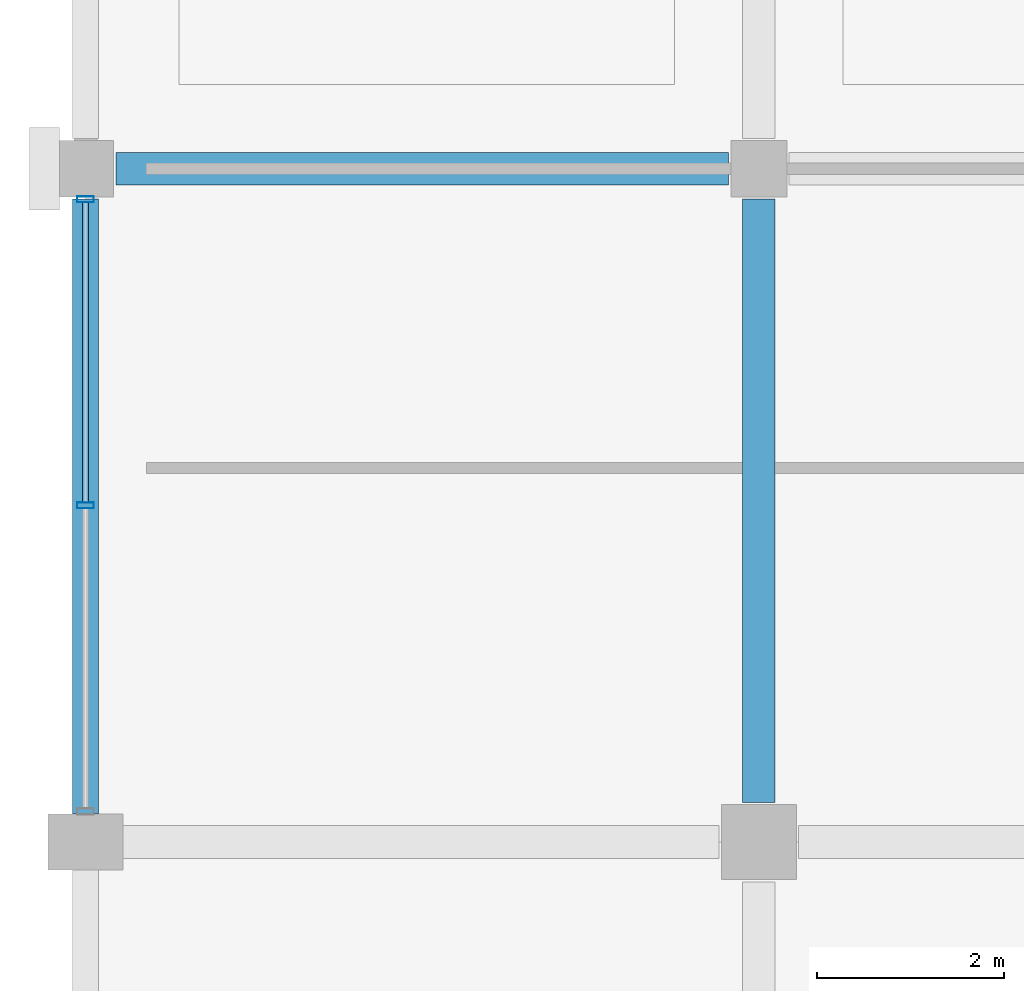
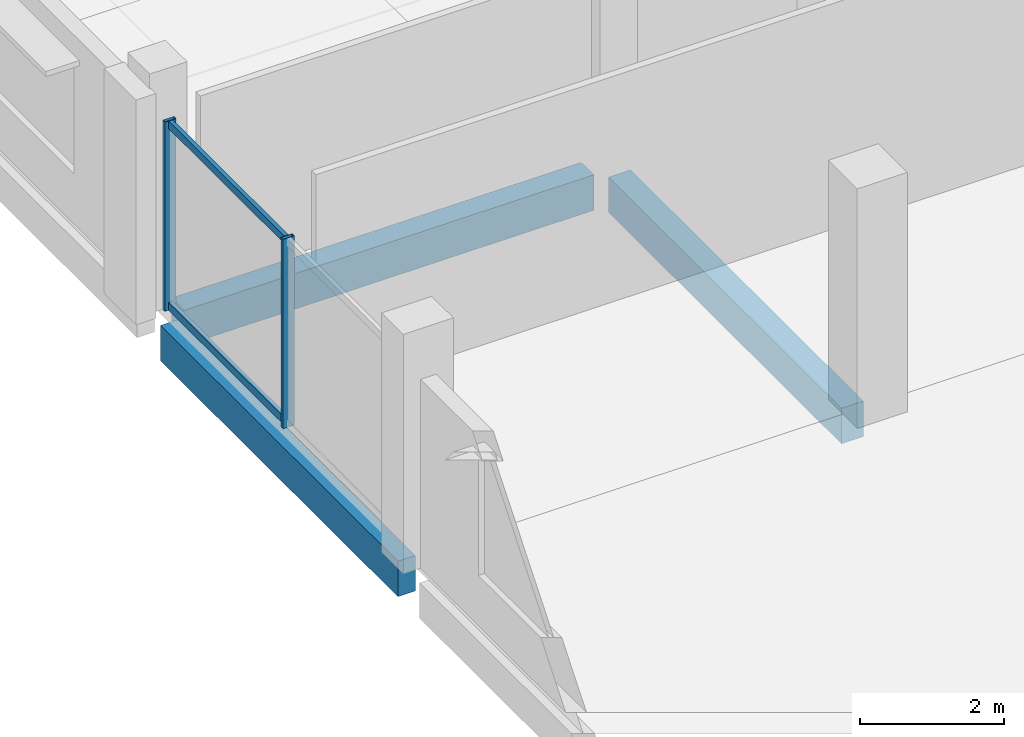
# One storey, part 19 of 108: 4 members, 3 beams, 1 element without a shape of its own.
"""IFC4 building model written with IfcOpenShell, lengths in metres."""

import ifcopenshell
import ifcopenshell.guid

model = None  # the IFC model being written
_history = None  # IfcOwnerHistory: only IFC2X3 demands one
_inside = {}  # id of a spatial element -> (the spatial element, [elements in it])
_under = {}  # id of a project, library or spatial element -> (it, [spatial elements below it])
_declared = {}  # id of a project -> (the project, [libraries it declares])
_typed = {}  # id of a type object -> (the type object, [elements of that type])
_made_of = {}  # id of a material, layer set ... -> (it, [elements and type objects made of it])


def new_model(schema):
    """Start an empty IFC model of exactly this schema.

    Asked for "IFC4X3", IfcOpenShell would pick the latest addendum, in which some entities
    have other attributes; the version numbers below select the first issue.
    IFC2X3 requires an IfcOwnerHistory on every rooted entity: one is made here for all.
    """
    global model, _history
    if schema == "IFC4X3":
        model = ifcopenshell.file(schema_version=(4, 3, 0, 0))
    else:
        model = ifcopenshell.file(schema=schema)
    _inside.clear()
    _under.clear()
    _declared.clear()
    _typed.clear()
    _made_of.clear()
    _history = None
    if model.schema == "IFC2X3":
        org = make("IfcOrganization", Name="unknown")
        user = make(
            "IfcPersonAndOrganization",
            ThePerson=make("IfcPerson", FamilyName="unknown"),
            TheOrganization=org,
        )
        app = make(
            "IfcApplication",
            ApplicationDeveloper=org,
            Version="unknown",
            ApplicationFullName="unknown",
            ApplicationIdentifier="unknown",
        )
        _history = make(
            "IfcOwnerHistory",
            OwningUser=user,
            OwningApplication=app,
            ChangeAction="ADDED",
            CreationDate=0,
        )
    return model


def make(cls, **values):
    """One entity of the class cls with the attributes given. An attribute that is None is left unset."""
    return model.create_entity(
        cls, **{name: value for name, value in values.items() if value is not None}
    )


def rooted(cls, **values):
    """An entity with a GlobalId (a new one), such as an element, a storey or a relation."""
    return make(cls, GlobalId=ifcopenshell.guid.new(), OwnerHistory=_history, **values)


def si_unit(unit_type, name, prefix=None):
    """IfcSIUnit, for example si_unit("LENGTHUNIT", "METRE", prefix="MILLI")."""
    return make("IfcSIUnit", UnitType=unit_type, Prefix=prefix, Name=name)


def assignment(units):
    """IfcUnitAssignment: the units of a project."""
    return None if units is None else make("IfcUnitAssignment", Units=units)


def point(xyz):
    """IfcCartesianPoint."""
    return None if xyz is None else make("IfcCartesianPoint", Coordinates=xyz)


def direction(xyz):
    """IfcDirection."""
    return None if xyz is None else make("IfcDirection", DirectionRatios=xyz)


def frame(location, z_axis=None, x_axis=None):
    """IfcAxis2Placement3D, a coordinate frame: its origin and axes. An axis left out is left unset."""
    return make(
        "IfcAxis2Placement3D",
        Location=point(location),
        Axis=direction(z_axis),
        RefDirection=direction(x_axis),
    )


def frame_2d(location, x_axis=None):
    """IfcAxis2Placement2D, a coordinate frame in the plane: its origin and x axis."""
    return make(
        "IfcAxis2Placement2D", Location=point(location), RefDirection=direction(x_axis)
    )


def origin():
    """The frame at (0, 0, 0) with its axes left unset."""
    return frame((0.0, 0.0, 0.0))


def origin_2d():
    """The frame at (0, 0) in the plane with its x axis left unset."""
    return frame_2d((0.0, 0.0))


def place(relative_to, where):
    """IfcLocalPlacement: puts the frame where relative to a parent placement (None: the world)."""
    return make(
        "IfcLocalPlacement", PlacementRelTo=relative_to, RelativePlacement=where
    )


def context(
    kind, dimensions, precision=None, world=None, true_north=None, identifier=None
):
    """IfcGeometricRepresentationContext, for example the 3D "Model" context."""
    return make(
        "IfcGeometricRepresentationContext",
        ContextIdentifier=identifier,
        ContextType=kind,
        CoordinateSpaceDimension=dimensions,
        Precision=precision,
        WorldCoordinateSystem=world,
        TrueNorth=true_north,
    )


def subcontext(parent, identifier, kind, view, scale=None):
    """IfcGeometricRepresentationSubContext, for example "Body" below "Model"."""
    return make(
        "IfcGeometricRepresentationSubContext",
        ContextIdentifier=identifier,
        ContextType=kind,
        ParentContext=parent,
        TargetScale=scale,
        TargetView=view,
    )


def project(units=None, contexts=None):
    """IfcProject with its units and contexts."""
    return rooted(
        "IfcProject",
        Name="project",
        RepresentationContexts=contexts,
        UnitsInContext=assignment(units),
    )


def spatial(cls, under=None, at=None, **own):
    """A site, building, storey or space (cls), placed at a placement, below another one or the project."""
    s = rooted(cls, ObjectPlacement=at, **own)
    if under is not None:
        _under.setdefault(under.id(), (under, []))[1].append(s)
    return s


def profile(cls, at=None, kind="AREA", **sizes):
    """A parametric profile (cls). Its sizes go by their IFC names, for example OverallWidth=200.0."""
    return make(cls, ProfileType=kind, Position=at, **sizes)


def rectangle(**sizes):
    """IfcRectangleProfileDef."""
    return profile("IfcRectangleProfileDef", **sizes)


def hollow_rectangle(**sizes):
    """IfcRectangleHollowProfileDef."""
    return profile("IfcRectangleHollowProfileDef", **sizes)


def extrude(swept, where, along, depth):
    """IfcExtrudedAreaSolid: the profile swept, set in the frame where, extruded along a direction by depth."""
    return make(
        "IfcExtrudedAreaSolid",
        SweptArea=swept,
        Position=where,
        ExtrudedDirection=direction(along),
        Depth=depth,
    )


def shape(context_of_items, identifier, shape_type, items):
    """IfcShapeRepresentation: the items that make up one representation, for example the "Body"."""
    return make(
        "IfcShapeRepresentation",
        ContextOfItems=context_of_items,
        RepresentationIdentifier=identifier,
        RepresentationType=shape_type,
        Items=items,
    )


def material(Name=None, Category=None):
    """IfcMaterial."""
    return make("IfcMaterial", Name=Name, Category=Category)


def layer(
    of_material, thickness, ventilated=None, Name=None, Category=None, Priority=None
):
    """IfcMaterialLayer: one layer of a wall or slab, of a material (None: an air gap)."""
    return make(
        "IfcMaterialLayer",
        Material=of_material,
        LayerThickness=thickness,
        IsVentilated=ventilated,
        Name=Name,
        Category=Category,
        Priority=Priority,
    )


def layer_set(layers, Name=None):
    """IfcMaterialLayerSet."""
    return make("IfcMaterialLayerSet", MaterialLayers=layers, LayerSetName=Name)


def material_profile(
    of_material, cross_section, Name=None, Category=None, Priority=None
):
    """IfcMaterialProfile: a cross section and its material."""
    return make(
        "IfcMaterialProfile",
        Name=Name,
        Material=of_material,
        Profile=cross_section,
        Priority=Priority,
        Category=Category,
    )


def profile_set(profiles, Name=None, composite=None):
    """IfcMaterialProfileSet."""
    return make(
        "IfcMaterialProfileSet",
        Name=Name,
        MaterialProfiles=profiles,
        CompositeProfile=composite,
    )


def made_of(thing, what):
    """Note that an element or type object is made of a material, layer set ...; save() writes the relation."""
    if what is not None:
        _made_of.setdefault(what.id(), (what, []))[1].append(thing)
    return thing


def type_object(cls, material=None, **own):
    """A type object (cls), such as IfcWallType, which elements share."""
    return made_of(rooted(cls, **own), material)


def element(
    cls,
    number,
    at=None,
    inside=None,
    cuts=None,
    type_object=None,
    material=None,
    context=None,
    identifier="Body",
    shape_type=None,
    held_by="IfcProductDefinitionShape",
    body=None,
    shapes=None,
    **own,
):
    """One element of the class cls, such as IfcWall. Its Tag is "e" and its number.

    at: its placement. inside: the storey or other place that contains it. cuts: it is an
    opening in that element (IfcRelVoidsElement). A single representation is given by context,
    identifier, shape_type and body (its items); several are given by shapes. held_by: the class
    of the entity that holds the representations. save() writes the other relations.
    """
    e = rooted(cls, Tag="e%d" % number, ObjectPlacement=at, **own)
    if body is not None:
        shapes = [shape(context, identifier, shape_type, body)]
    if shapes is not None:
        e.Representation = make(held_by, Representations=shapes)
    if inside is not None:
        _inside.setdefault(inside.id(), (inside, []))[1].append(e)
    if cuts is not None:
        rooted(
            "IfcRelVoidsElement", RelatingBuildingElement=cuts, RelatedOpeningElement=e
        )
    if type_object is not None:
        _typed.setdefault(type_object.id(), (type_object, []))[1].append(e)
    return made_of(e, material)


def aggregate(whole, parts):
    """IfcRelAggregates: a whole, such as a stair, and the parts it consists of."""
    return rooted("IfcRelAggregates", RelatingObject=whole, RelatedObjects=parts)


def save(model, path):
    """Write the relations noted so far, then the file.

    IfcRelAggregates (storeys below a building ...), IfcRelContainedInSpatialStructure (elements
    in a storey), IfcRelDefinesByType, IfcRelAssociatesMaterial and IfcRelDeclares: one each for
    every whole, place, type object, material and project.
    """
    for whole, parts in _under.values():
        aggregate(whole, parts)
    for where, things in _inside.values():
        rooted(
            "IfcRelContainedInSpatialStructure",
            RelatedElements=things,
            RelatingStructure=where,
        )
    for kind, things in _typed.values():
        rooted("IfcRelDefinesByType", RelatedObjects=things, RelatingType=kind)
    for what, things in _made_of.values():
        rooted("IfcRelAssociatesMaterial", RelatedObjects=things, RelatingMaterial=what)
    for by, libraries in _declared.values():
        rooted("IfcRelDeclares", RelatingContext=by, RelatedDefinitions=libraries)
    model.write(path)


model = new_model("IFC4")

# Units and contexts
model_context = context("Model", 3, precision=1e-05, world=origin(), true_north=direction((0.0, 1.0)))
body_context = subcontext(model_context, "Body", "Model", "MODEL_VIEW")
ifc_project = project(units=[si_unit("LENGTHUNIT", "METRE"), si_unit("AREAUNIT", "SQUARE_METRE"), si_unit("VOLUMEUNIT", "CUBIC_METRE"), si_unit("PLANEANGLEUNIT", "RADIAN"), si_unit("MASSUNIT", "GRAM", prefix="KILO")], contexts=[model_context])

# Site, building, storey
site_placement = place(None, origin())
site = spatial("IfcSite", under=ifc_project, at=site_placement, CompositionType="ELEMENT")
building_placement = place(site_placement, origin())
building = spatial("IfcBuilding", under=site, at=building_placement, Name="Kangsadwip Square Police Headquarters", CompositionType="ELEMENT")
storey_placement = place(building_placement, frame((0.0, 0.0, 9.449951171875)))
storey = spatial("IfcBuildingStorey", under=building, at=storey_placement, Name="L02", CompositionType="ELEMENT", Elevation=9.449951171875)

# Curtain wall, members
ifc_material_1 = material(Name="Thermally broken anodised aluminium AW-6063-T6", Category="aluminium")
ifc_layer = layer(ifc_material_1, 0.159912109375)
ifc_layer_set = layer_set([ifc_layer], Name="Thermally broken anodised aluminium AW-6063-T6")
curtain_wall_type = type_object("IfcCurtainWallType", Name="UnitisedCw6610x3200", PredefinedType="NOTDEFINED", material=ifc_layer_set)
curtain_wall_placement = place(storey_placement, origin())
curtain_wall = element("IfcCurtainWall", 1, at=curtain_wall_placement, inside=storey, type_object=curtain_wall_type, Name="Curtain Wall CW-L02-0000-0939", PredefinedType="NOTDEFINED")
ifc_material_2 = material(Name="Thermally broken anodised aluminium AW-6063-T6", Category="aluminium")
ifc_material_profile_1 = material_profile(ifc_material_2, hollow_rectangle(XDim=0.06494140625, YDim=0.179931640625, WallThickness=0.00390625, at=origin_2d()), Name="CWM 180X65X4")
ifc_profile_set_1 = profile_set([ifc_material_profile_1], Name="Thermally broken anodised aluminium AW-6063-T6")
member_type_1 = type_object("IfcMemberType", Name="CwMullion160x65", PredefinedType="MULLION", material=ifc_profile_set_1)
member_1_placement = place(storey_placement, frame((0.0, 97.199951171875, 0.0), z_axis=(0.0, 0.0, 1.0), x_axis=(0.0, 1.0, 0.0)))
member_1 = element("IfcMember", 2, at=member_1_placement, type_object=member_type_1, Name="CW-28 mullion 2", PredefinedType="MULLION", context=body_context, shape_type="SweptSolid", body=[
    extrude(hollow_rectangle(XDim=0.06494140625, YDim=0.179931640625, WallThickness=0.00390625, at=origin_2d()), origin(), (0.0, 0.0, 1.0), 3.199951171875),
])
member_2_placement = place(storey_placement, frame((0.0, 100.472412109375, 0.0), z_axis=(0.0, 0.0, 1.0), x_axis=(0.0, 1.0, 0.0)))
member_2 = element("IfcMember", 3, at=member_2_placement, type_object=member_type_1, Name="CW-28 mullion 3", PredefinedType="MULLION", context=body_context, shape_type="SweptSolid", body=[
    extrude(hollow_rectangle(XDim=0.06494140625, YDim=0.179931640625, WallThickness=0.00390625, at=origin_2d()), origin(), (0.0, 0.0, 1.0), 3.199951171875),
])
ifc_material_3 = material(Name="Thermally broken anodised aluminium AW-6063-T6", Category="aluminium")
ifc_material_profile_2 = material_profile(ifc_material_3, hollow_rectangle(XDim=0.06494140625, YDim=0.1298828125, WallThickness=0.00390625, at=origin_2d()), Name="CWT 130X65X4")
ifc_profile_set_2 = profile_set([ifc_material_profile_2], Name="Thermally broken anodised aluminium AW-6063-T6")
member_type_2 = type_object("IfcMemberType", Name="CwTransom140x60", PredefinedType="USERDEFINED", material=ifc_profile_set_2)
member_3_placement = place(storey_placement, frame((0.0, 97.232421875, 0.06494140625), z_axis=(0.0, 1.0, 0.0), x_axis=(-1.0, 0.0, 0.0)))
member_3 = element("IfcMember", 4, at=member_3_placement, type_object=member_type_2, Name="CW-28 transom 2.1", ObjectType="TRANSOM", PredefinedType="USERDEFINED", context=body_context, shape_type="SweptSolid", body=[
    extrude(hollow_rectangle(XDim=0.06494140625, YDim=0.1298828125, WallThickness=0.00390625, at=origin_2d()), origin(), (0.0, 0.0, 1.0), 3.20751953125),
])
member_4_placement = place(storey_placement, frame((0.0, 97.232421875, 3.135009765625), z_axis=(0.0, 1.0, 0.0), x_axis=(-1.0, 0.0, 0.0)))
member_4 = element("IfcMember", 5, at=member_4_placement, type_object=member_type_2, Name="CW-28 transom 2.2", ObjectType="TRANSOM", PredefinedType="USERDEFINED", context=body_context, shape_type="SweptSolid", body=[
    extrude(hollow_rectangle(XDim=0.06494140625, YDim=0.1298828125, WallThickness=0.00390625, at=origin_2d()), origin(), (0.0, 0.0, 1.0), 3.20751953125),
])
aggregate(curtain_wall, [member_1, member_2, member_3, member_4])

# Beams
ifc_material_4 = material(Name="Concrete M35 (35 MPa)", Category="concrete")
ifc_material_profile_3 = material_profile(ifc_material_4, rectangle(XDim=0.35009765625, YDim=0.60009765625, at=origin_2d()), Name="RC BM 600X350")
ifc_profile_set_3 = profile_set([ifc_material_profile_3], Name="Concrete M35 (35 MPa)")
beam_type_1 = type_object("IfcBeamType", Name="RcBeam600x350", PredefinedType="BEAM", material=ifc_profile_set_3)
beam_1_placement = place(storey_placement, frame((0.324951171875, 100.800048828125, -0.5400390625), z_axis=(1.0, 0.0, 0.0), x_axis=(0.0, 1.0, 0.0)))
element("IfcBeam", 6, at=beam_1_placement, inside=storey, type_object=beam_type_1, Name="Beam BM-L02-X-00-14", PredefinedType="BEAM", context=body_context, shape_type="SweptSolid", body=[
    extrude(rectangle(XDim=0.35009765625, YDim=0.60009765625, at=origin_2d()), origin(), (0.0, 0.0, 1.0), 6.550048828125),
])
beam_2_placement = place(storey_placement, frame((7.199951171875, 94.02490234375, -0.5400390625), z_axis=(0.0, 1.0, 0.0), x_axis=(-1.0, 0.0, 0.0)))
element("IfcBeam", 7, at=beam_2_placement, inside=storey, type_object=beam_type_1, Name="Beam BM-L02-Y-01-13", PredefinedType="BEAM", context=body_context, shape_type="SweptSolid", body=[
    extrude(rectangle(XDim=0.35009765625, YDim=0.60009765625, at=origin_2d()), origin(), (0.0, 0.0, 1.0), 6.4501953125),
])
ifc_material_5 = material(Name="Concrete M40 (40 MPa)", Category="concrete")
ifc_material_profile_4 = material_profile(ifc_material_5, rectangle(XDim=0.280029296875, YDim=0.60009765625, at=origin_2d()), Name="RC SPN 600X280")
ifc_profile_set_4 = profile_set([ifc_material_profile_4], Name="Concrete M40 (40 MPa)")
beam_type_2 = type_object("IfcBeamType", Name="RcSpandrel600x280", PredefinedType="SPANDREL", material=ifc_profile_set_4)
beam_3_placement = place(storey_placement, frame((0.0, 93.89990234375, -0.5400390625), z_axis=(0.0, 1.0, 0.0), x_axis=(-1.0, 0.0, 0.0)))
element("IfcBeam", 8, at=beam_3_placement, inside=storey, type_object=beam_type_2, Name="Beam BM-L02-Y-00-13", PredefinedType="SPANDREL", context=body_context, shape_type="SweptSolid", body=[
    extrude(rectangle(XDim=0.280029296875, YDim=0.60009765625, at=origin_2d()), origin(), (0.0, 0.0, 1.0), 6.5751953125),
])

save(model, "model.ifc")
